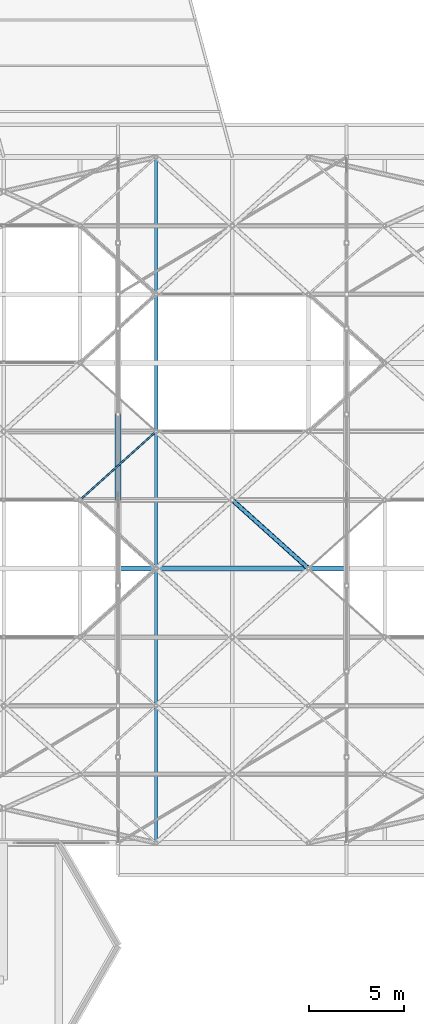
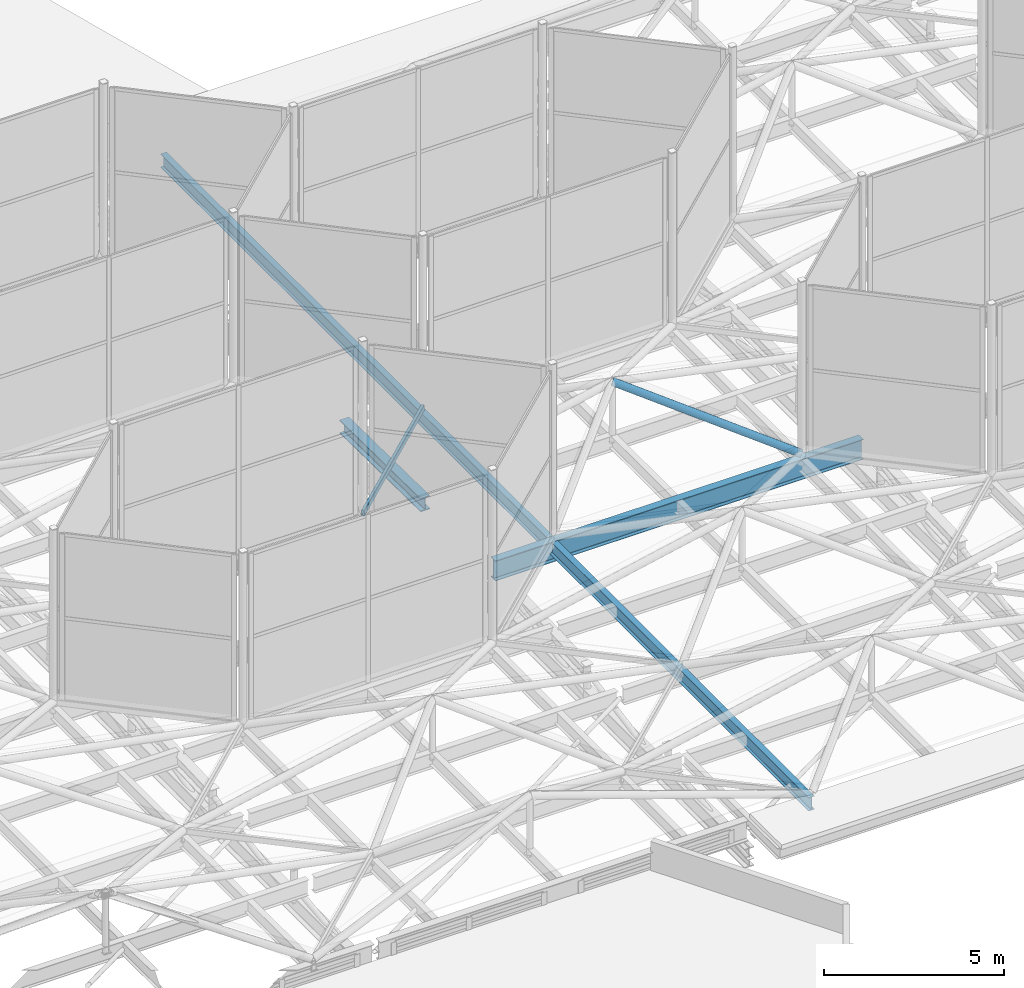
# One storey, part 81 of 239: 4 beams, 1 member.
"""IFC4 building model written with IfcOpenShell, lengths in metres."""

from ifc_helpers import new_model, si_unit, direction, frame, origin, origin_2d, place, context, subcontext, project, spatial, hollow_rectangle, hollow_circle, i_section, extrude, material, material_profile, profile_set, type_object, element, save


model = new_model("IFC4")

# Units and contexts
model_context = context("Model", 3, precision=1e-05, world=origin(), true_north=direction((0.0, 1.0)))
body_context = subcontext(model_context, "Body", "Model", "MODEL_VIEW")
ifc_project = project(units=[si_unit("LENGTHUNIT", "METRE"), si_unit("AREAUNIT", "SQUARE_METRE"), si_unit("VOLUMEUNIT", "CUBIC_METRE"), si_unit("PLANEANGLEUNIT", "RADIAN"), si_unit("MASSUNIT", "GRAM", prefix="KILO")], contexts=[model_context])

# Site, building, storey
site_placement = place(None, origin())
site = spatial("IfcSite", under=ifc_project, at=site_placement, CompositionType="ELEMENT")
building_placement = place(site_placement, origin())
building = spatial("IfcBuilding", under=site, at=building_placement, Name="Dunvalen Ferry Terminal", CompositionType="ELEMENT")
storey_placement = place(building_placement, frame((0.0, 0.0, 9.840087890625)))
storey = spatial("IfcBuildingStorey", under=building, at=storey_placement, Name="L02", CompositionType="ELEMENT", Elevation=9.840087890625)

# Beams
ifc_material = material(Name="Steel S355", Category="steel")
ifc_material_profile_1 = material_profile(ifc_material, i_section(OverallWidth=0.300048828125, OverallDepth=0.449951171875, WebThickness=0.013916015625, FlangeThickness=0.02587890625, FilletRadius=0.027099609375, at=origin_2d()), Name="Steel S355")
ifc_profile_set_1 = profile_set([ifc_material_profile_1], Name="Steel S355")
beam_type_1 = type_object("IfcBeamType", Name="STR-BM-HEB450", PredefinedType="BEAM", material=ifc_profile_set_1)
beam_1_placement = place(storey_placement, frame((36.0, 68.39990234375, 0.719970703125), z_axis=(0.0, 0.999907293085, -0.01361635908), x_axis=(-1.0, 0.0, 0.0)))
element("IfcBeam", 1, at=beam_1_placement, inside=storey, type_object=beam_type_1, Name="Departure Hall Tied-Arch Rib 03.5", PredefinedType="BEAM", context=body_context, shape_type="SweptSolid", body=[
    extrude(i_section(OverallWidth=0.300048828125, OverallDepth=0.449951171875, WebThickness=0.013916015625, FlangeThickness=0.02587890625, FilletRadius=0.027099609375, at=origin_2d()), origin(), (0.0, 0.0, 1.0), 4.50048828125),
])
ifc_material_profile_2 = material_profile(ifc_material, hollow_rectangle(XDim=0.10009765625, YDim=0.199951171875, WallThickness=0.008056640625, InnerFilletRadius=0.008056640625, OuterFilletRadius=0.01611328125, at=origin_2d()), Name="Steel S355")
ifc_profile_set_2 = profile_set([ifc_material_profile_2], Name="Steel S355")
beam_type_2 = type_object("IfcBeamType", Name="STR-BM-RHS200", PredefinedType="BEAM", material=ifc_profile_set_2)
beam_2_placement = place(storey_placement, frame((34.0, 68.39990234375, 1.099853515625), z_axis=(0.743285123004, 0.668974757313, 0.0), x_axis=(-0.668974757313, 0.743285123004, 0.0)))
element("IfcBeam", 2, at=beam_2_placement, inside=storey, type_object=beam_type_2, Name="HEX-15 Hexagonal Rim Beam 3", PredefinedType="BEAM", context=body_context, shape_type="SweptSolid", body=[
    extrude(hollow_rectangle(XDim=0.10009765625, YDim=0.199951171875, WallThickness=0.008056640625, InnerFilletRadius=0.008056640625, OuterFilletRadius=0.01611328125, at=origin_2d()), origin(), (0.0, 0.0, 1.0), 5.381591796875),
])
ifc_material_profile_3 = material_profile(ifc_material, i_section(OverallWidth=0.1904296875, OverallDepth=0.45703125, WebThickness=0.009033203125, FlangeThickness=0.014404296875, FilletRadius=0.01025390625, at=origin_2d()), Name="Steel S355")
ifc_profile_set_3 = profile_set([ifc_material_profile_3], Name="Steel S355")
beam_type_3 = type_object("IfcBeamType", Name="STR-BM-UKB457", PredefinedType="BEAM", material=ifc_profile_set_3)
beam_3_placement = place(storey_placement, frame((38.0, 50.39990234375, 0.771484375), z_axis=(0.0, 1.0, 0.0), x_axis=(-1.0, 0.0, 0.0)))
element("IfcBeam", 3, at=beam_3_placement, inside=storey, type_object=beam_type_3, Name="Departure Hall Hex-Grid Cross Beam B3.1", PredefinedType="BEAM", context=body_context, shape_type="SweptSolid", body=[
    extrude(i_section(OverallWidth=0.1904296875, OverallDepth=0.45703125, WebThickness=0.009033203125, FlangeThickness=0.014404296875, FilletRadius=0.01025390625, at=origin_2d()), origin(), (0.0, 0.0, 1.0), 36.0),
])
ifc_material_profile_4 = material_profile(ifc_material, i_section(OverallWidth=0.253662109375, OverallDepth=0.68359375, WebThickness=0.012451171875, FlangeThickness=0.01904296875, FilletRadius=0.01513671875, at=origin_2d()), Name="Steel S355")
ifc_profile_set_4 = profile_set([ifc_material_profile_4], Name="Steel S355")
beam_type_4 = type_object("IfcBeamType", Name="STR-BM-UKB686", PredefinedType="BEAM", material=ifc_profile_set_4)
beam_4_placement = place(storey_placement, frame((36.10009765625, 64.800048828125, 0.658203125), z_axis=(1.0, 0.0, 0.0), x_axis=(0.0, 1.0, 0.0)))
element("IfcBeam", 4, at=beam_4_placement, inside=storey, type_object=beam_type_4, Name="Departure Hall Spine Girder B3.05", PredefinedType="BEAM", context=body_context, shape_type="SweptSolid", body=[
    extrude(i_section(OverallWidth=0.253662109375, OverallDepth=0.68359375, WebThickness=0.012451171875, FlangeThickness=0.01904296875, FilletRadius=0.01513671875, at=origin_2d()), origin(), (0.0, 0.0, 1.0), 11.7998046875),
])

# Member
ifc_material_profile_5 = material_profile(ifc_material, hollow_circle(Radius=0.122314453125, WallThickness=0.010009765625, at=origin_2d()), Name="Steel S355")
ifc_profile_set_5 = profile_set([ifc_material_profile_5], Name="Steel S355")
member_type = type_object("IfcMemberType", Name="STR-MB-CHS244", PredefinedType="STRUT", material=ifc_profile_set_5)
member_placement = place(storey_placement, frame((46.0, 64.800048828125, 1.099853515625), z_axis=(-0.710094348105, 0.639058908863, 0.295583706914), x_axis=(-0.668949692402, -0.74330768127, 0.0)))
element("IfcMember", 5, at=member_placement, inside=storey, type_object=member_type, Name="HEX-20 Pyramid Hip Rafter 3", PredefinedType="STRUT", context=body_context, shape_type="SweptSolid", body=[
    extrude(hollow_circle(Radius=0.122314453125, WallThickness=0.010009765625, at=origin_2d()), origin(), (0.0, 0.0, 1.0), 5.633056640625),
])

save(model, "model.ifc")
